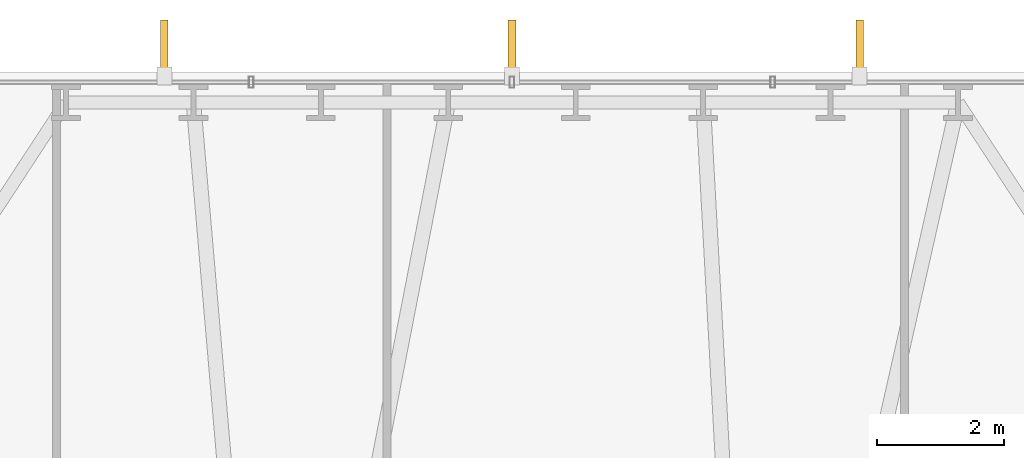
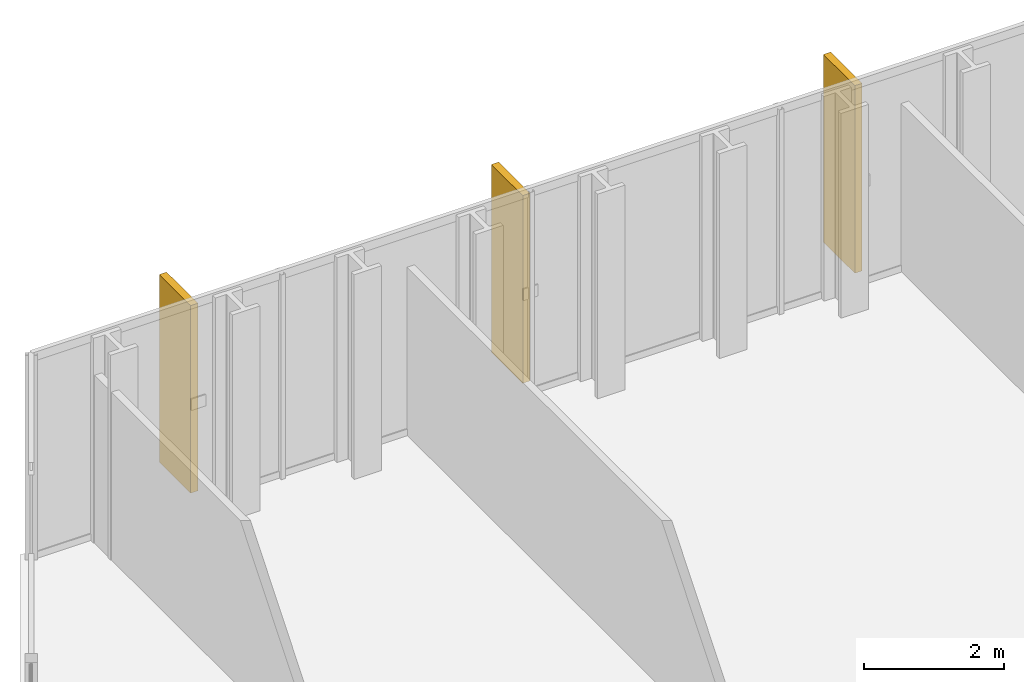
# One storey, part 33 of 33: 3 shading devices.
"""IFC4 building model written with IfcOpenShell, lengths in metres."""

from ifc_helpers import new_model, si_unit, direction, frame, origin, origin_2d, place, context, subcontext, project, spatial, rectangle, extrude, material, type_object, element, save


model = new_model("IFC4")

# Units and contexts
model_context = context("Model", 3, precision=1e-05, world=origin(), true_north=direction((0.0, 1.0)))
body_context = subcontext(model_context, "Body", "Model", "MODEL_VIEW")
ifc_project = project(units=[si_unit("LENGTHUNIT", "METRE"), si_unit("AREAUNIT", "SQUARE_METRE"), si_unit("VOLUMEUNIT", "CUBIC_METRE"), si_unit("PLANEANGLEUNIT", "RADIAN"), si_unit("MASSUNIT", "GRAM", prefix="KILO")], contexts=[model_context])

# Site, building, storey
site_placement = place(None, origin())
site = spatial("IfcSite", under=ifc_project, at=site_placement, CompositionType="ELEMENT")
building_placement = place(site_placement, origin())
building = spatial("IfcBuilding", under=site, at=building_placement, Name="Ndaravel Arena Tower", CompositionType="ELEMENT")
storey_placement = place(building_placement, frame((0.0, 0.0, 39.800048828125)))
storey = spatial("IfcBuildingStorey", under=building, at=storey_placement, Name="L07", CompositionType="ELEMENT", Elevation=39.800048828125)

# Shading devices
ifc_material = material(Name="Masonry", Category="masonry")
shading_device_type = type_object("IfcShadingDeviceType", Name="SHD-MAZERAS-FIN", PredefinedType="SHUTTER", material=ifc_material)
for number, where, z_axis, x_axis, name in (
    (1, (47.492431640625, 46.444091796875, 0.14990234375), (0.0, 0.0, 1.0), (0.0, 1.0, 0.0), "L07 Mazeras Stone Solar Fin E4.1"),
    (2, (42.0, 46.444091796875, 0.14990234375), (0.0, 0.0, 1.0), (0.0, 1.0, 0.0), "L07 Mazeras Stone Solar Fin E4.2"),
    (3, (36.507568359375, 46.444091796875, 0.14990234375), (0.0, 0.0, 1.0), (0.0, 1.0, 0.0), "L07 Mazeras Stone Solar Fin E4.3"),
):
    element("IfcShadingDevice", number, at=place(storey_placement, frame(where, z_axis=z_axis, x_axis=x_axis)), inside=storey, type_object=shading_device_type, Name=name, PredefinedType="SHUTTER", context=body_context, shape_type="SweptSolid", body=[
        extrude(rectangle(XDim=0.89990234375, YDim=0.1201171875, at=origin_2d()), origin(), (0.0, 0.0, 1.0), 3.280029296875),
    ])

save(model, "model.ifc")
